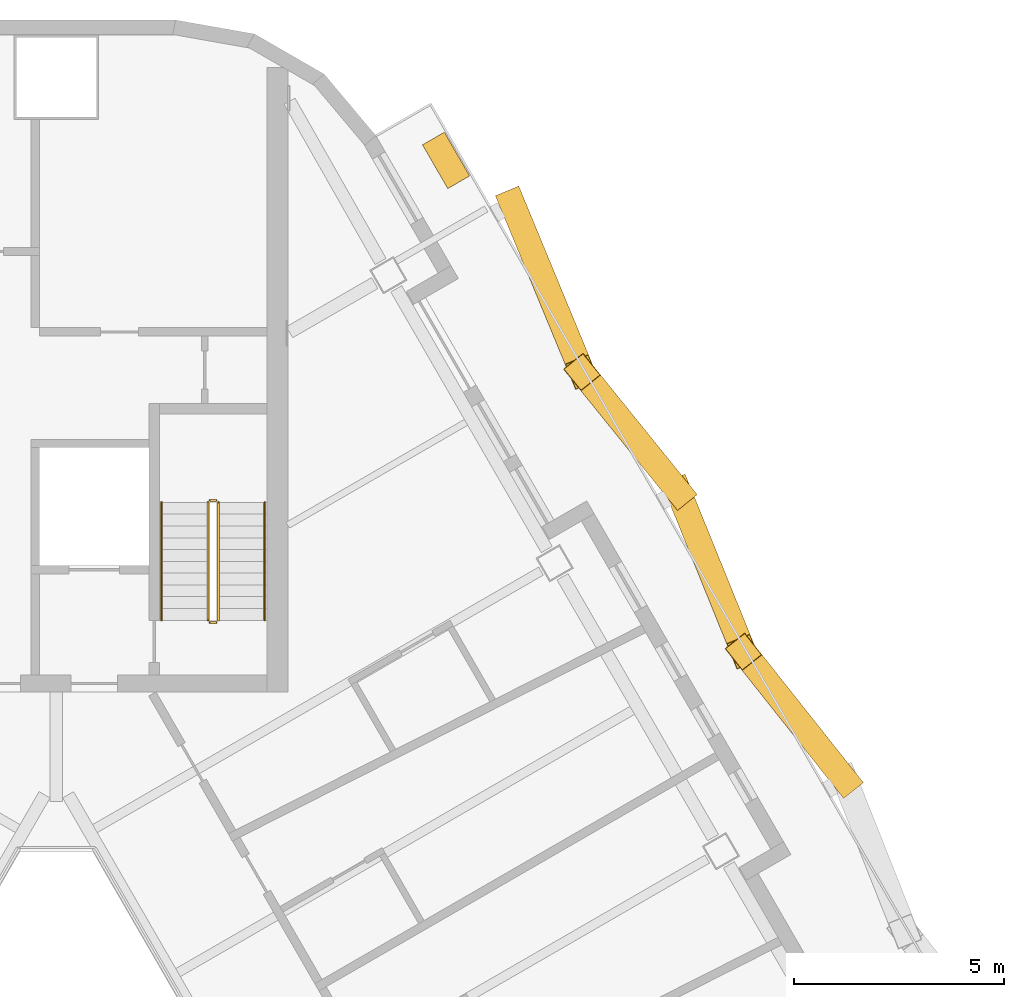
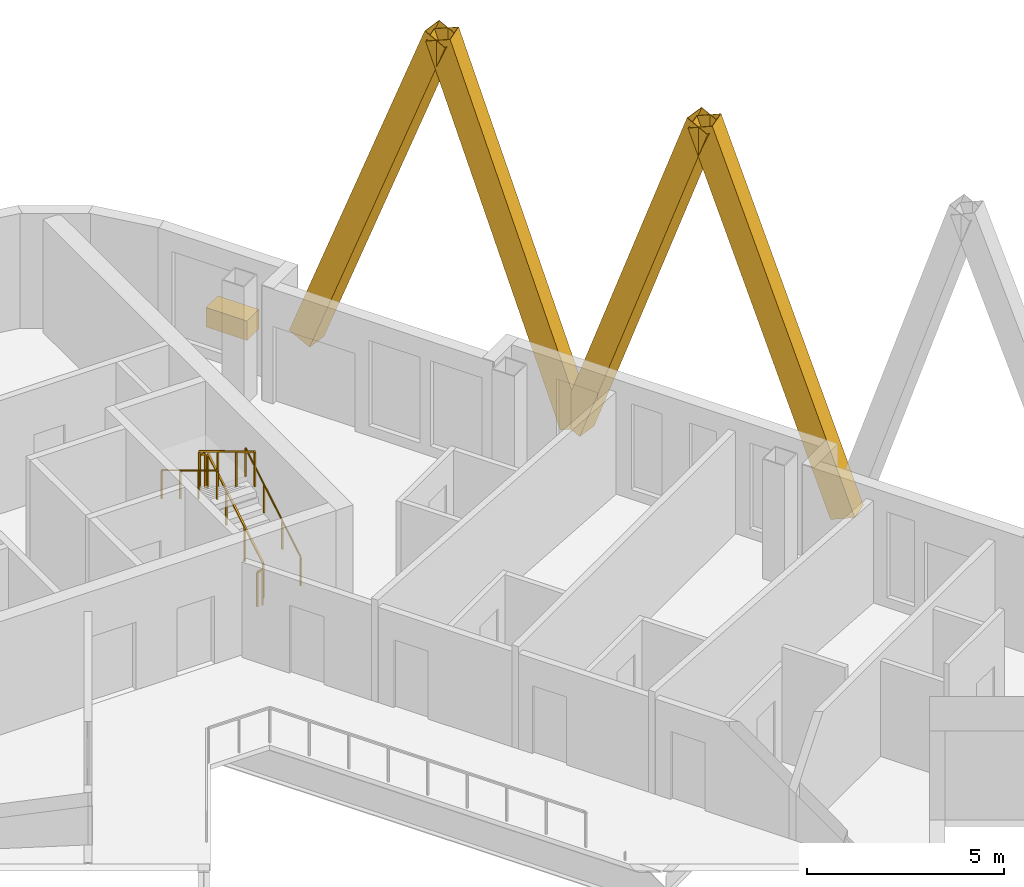
# One storey, part 18 of 18: 6 railings, 4 shading devices, 1 covering.
"""IFC4 building model written with IfcOpenShell, lengths in metres."""

from ifc_helpers import new_model, si_unit, direction, frame, origin, origin_2d, place, context, subcontext, project, spatial, rectangle, hollow_rectangle, circle, extrude, material, material_profile, profile_set, type_object, element, save


model = new_model("IFC4")

# Units and contexts
model_context = context("Model", 3, precision=1e-05, world=origin(), true_north=direction((0.0, 1.0)))
body_context = subcontext(model_context, "Body", "Model", "MODEL_VIEW")
ifc_project = project(units=[si_unit("LENGTHUNIT", "METRE"), si_unit("AREAUNIT", "SQUARE_METRE"), si_unit("VOLUMEUNIT", "CUBIC_METRE"), si_unit("PLANEANGLEUNIT", "RADIAN"), si_unit("MASSUNIT", "GRAM", prefix="KILO")], contexts=[model_context])

# Site, building, storey
site_placement = place(None, origin())
site = spatial("IfcSite", under=ifc_project, at=site_placement, CompositionType="ELEMENT")
building_placement = place(site_placement, origin())
building = spatial("IfcBuilding", under=site, at=building_placement, Name="Apuvela Tower Hotel", CompositionType="ELEMENT")
storey_placement = place(building_placement, frame((0.0, 0.0, 246.699951171875)))
storey = spatial("IfcBuildingStorey", under=building, at=storey_placement, Name="L60", CompositionType="ELEMENT", Elevation=246.699951171875)

# Railings
ifc_material_1 = material(Name="Steel S275 balustrade", Category="steel")
railing_type_1 = type_object("IfcRailingType", Name="COR-GUARD-1100", PredefinedType="GUARDRAIL", material=ifc_material_1)
railing_1_placement = place(storey_placement, frame((3.85009765625, 14.60009765625, 0.168212890625)))
element("IfcRailing", 1, at=railing_1_placement, inside=storey, type_object=railing_type_1, Name="L60 ST1 stair guard 1", PredefinedType="GUARDRAIL", context=body_context, shape_type="SweptSolid", body=[
    extrude(rectangle(XDim=0.048095703125, YDim=0.048095703125, at=origin_2d()), frame((0.0, 0.0, 1.076171875), z_axis=(0.0, 0.857222391501, 0.514946377315), x_axis=(-1.0, 0.0, 0.0)), (0.0, 0.0, 1.0), 3.26611328125),
    extrude(rectangle(XDim=0.0419921875, YDim=0.0419921875, at=origin_2d()), origin(), (0.0, 0.0, 1.0), 1.052001953125),
    extrude(rectangle(XDim=0.0419921875, YDim=0.0419921875, at=origin_2d()), frame((0.0, 0.933349609375, 0.560546875)), (0.0, 0.0, 1.0), 1.052001953125),
    extrude(rectangle(XDim=0.0419921875, YDim=0.0419921875, at=origin_2d()), frame((0.0, 1.866455078125, 1.121337890625)), (0.0, 0.0, 1.0), 1.052001953125),
    extrude(rectangle(XDim=0.0419921875, YDim=0.0419921875, at=origin_2d()), frame((0.0, 2.7998046875, 1.681884765625)), (0.0, 0.0, 1.0), 1.052001953125),
])
railing_2_placement = place(storey_placement, frame((3.800048828125, 17.449951171875, 1.85009765625)))
element("IfcRailing", 2, at=railing_2_placement, inside=storey, type_object=railing_type_1, Name="L60 ST1 stair guard 2", PredefinedType="GUARDRAIL", context=body_context, shape_type="SweptSolid", body=[
    extrude(rectangle(XDim=0.048095703125, YDim=0.048095703125, at=origin_2d()), frame((0.0, 0.0, 1.076171875), z_axis=(-1.0, 0.0, 0.0), x_axis=(0.0, -1.0, 0.0)), (0.0, 0.0, 1.0), 0.150146484375),
    extrude(rectangle(XDim=0.0419921875, YDim=0.0419921875, at=origin_2d()), origin(), (0.0, 0.0, 1.0), 1.052001953125),
    extrude(rectangle(XDim=0.0419921875, YDim=0.0419921875, at=origin_2d()), frame((-0.150146484375, 0.0, 0.0)), (0.0, 0.0, 1.0), 1.052001953125),
])
railing_3_placement = place(storey_placement, frame((3.60009765625, 17.39990234375, 2.018310546875)))
element("IfcRailing", 3, at=railing_3_placement, inside=storey, type_object=railing_type_1, Name="L60 ST1 stair guard 3", PredefinedType="GUARDRAIL", context=body_context, shape_type="SweptSolid", body=[
    extrude(rectangle(XDim=0.048095703125, YDim=0.048095703125, at=origin_2d()), frame((0.0, 0.0, 1.076171875), z_axis=(0.0, -0.857255387014, 0.514891446264), x_axis=(1.0, 0.0, 0.0)), (0.0, 0.0, 1.0), 3.26611328125),
    extrude(rectangle(XDim=0.0419921875, YDim=0.0419921875, at=origin_2d()), origin(), (0.0, 0.0, 1.0), 1.052001953125),
    extrude(rectangle(XDim=0.0419921875, YDim=0.0419921875, at=origin_2d()), frame((0.0, -0.933349609375, 0.560546875)), (0.0, 0.0, 1.0), 1.052001953125),
    extrude(rectangle(XDim=0.0419921875, YDim=0.0419921875, at=origin_2d()), frame((0.0, -1.866455078125, 1.12109375)), (0.0, 0.0, 1.0), 1.052001953125),
    extrude(rectangle(XDim=0.0419921875, YDim=0.0419921875, at=origin_2d()), frame((0.0, -2.7998046875, 1.681640625)), (0.0, 0.0, 1.0), 1.052001953125),
])
railing_4_placement = place(storey_placement, frame((3.800048828125, 14.550048828125, 0.0)))
element("IfcRailing", 4, at=railing_4_placement, inside=storey, type_object=railing_type_1, Name="L60 ST1 stair guard 4", PredefinedType="GUARDRAIL", context=body_context, shape_type="SweptSolid", body=[
    extrude(rectangle(XDim=0.048095703125, YDim=0.048095703125, at=origin_2d()), frame((0.0, 0.0, 1.076171875), z_axis=(-1.0, 0.0, 0.0), x_axis=(0.0, -1.0, 0.0)), (0.0, 0.0, 1.0), 0.150146484375),
    extrude(rectangle(XDim=0.0419921875, YDim=0.0419921875, at=origin_2d()), origin(), (0.0, 0.0, 1.0), 1.052001953125),
    extrude(rectangle(XDim=0.0419921875, YDim=0.0419921875, at=origin_2d()), frame((-0.150146484375, 0.0, 0.0)), (0.0, 0.0, 1.0), 1.052001953125),
])
ifc_material_2 = material(Name="Stainless steel 316 handrail", Category="steel")
railing_type_2 = type_object("IfcRailingType", Name="COR-HANDRAIL-900", PredefinedType="HANDRAIL", material=ifc_material_2)
railing_5_placement = place(storey_placement, frame((4.949951171875, 14.60009765625, 0.168212890625)))
element("IfcRailing", 5, at=railing_5_placement, inside=storey, type_object=railing_type_2, Name="L60 ST1 stair handrail 1", PredefinedType="HANDRAIL", context=body_context, shape_type="SweptSolid", body=[
    extrude(circle(Radius=0.02392578125, at=origin_2d()), frame((0.0, 0.0, 0.8759765625), z_axis=(0.0, 0.857222391501, 0.514946377315), x_axis=(-1.0, 0.0, 0.0)), (0.0, 0.0, 1.0), 3.26611328125),
    extrude(rectangle(XDim=0.0419921875, YDim=0.0419921875, at=origin_2d()), origin(), (0.0, 0.0, 1.0), 0.851806640625),
    extrude(rectangle(XDim=0.0419921875, YDim=0.0419921875, at=origin_2d()), frame((0.0, 0.933349609375, 0.560546875)), (0.0, 0.0, 1.0), 0.851806640625),
    extrude(rectangle(XDim=0.0419921875, YDim=0.0419921875, at=origin_2d()), frame((0.0, 1.866455078125, 1.121337890625)), (0.0, 0.0, 1.0), 0.851806640625),
    extrude(rectangle(XDim=0.0419921875, YDim=0.0419921875, at=origin_2d()), frame((0.0, 2.7998046875, 1.681884765625)), (0.0, 0.0, 1.0), 0.851806640625),
])
railing_6_placement = place(storey_placement, frame((2.5, 17.39990234375, 2.018310546875)))
element("IfcRailing", 6, at=railing_6_placement, inside=storey, type_object=railing_type_2, Name="L60 ST1 stair handrail 2", PredefinedType="HANDRAIL", context=body_context, shape_type="SweptSolid", body=[
    extrude(circle(Radius=0.02392578125, at=origin_2d()), frame((0.0, 0.0, 0.8759765625), z_axis=(0.0, -0.857255387014, 0.514891446264), x_axis=(1.0, 0.0, 0.0)), (0.0, 0.0, 1.0), 3.26611328125),
    extrude(rectangle(XDim=0.0419921875, YDim=0.0419921875, at=origin_2d()), origin(), (0.0, 0.0, 1.0), 0.851806640625),
    extrude(rectangle(XDim=0.0419921875, YDim=0.0419921875, at=origin_2d()), frame((0.0, -0.933349609375, 0.560546875)), (0.0, 0.0, 1.0), 0.851806640625),
    extrude(rectangle(XDim=0.0419921875, YDim=0.0419921875, at=origin_2d()), frame((0.0, -1.866455078125, 1.12109375)), (0.0, 0.0, 1.0), 0.851806640625),
    extrude(rectangle(XDim=0.0419921875, YDim=0.0419921875, at=origin_2d()), frame((0.0, -2.7998046875, 1.681640625)), (0.0, 0.0, 1.0), 0.851806640625),
])

# Shading devices
ifc_material_3 = material(Name="Aluminium 6063-T6, black anodised", Category="aluminium")
ifc_material_profile = material_profile(ifc_material_3, hollow_rectangle(XDim=0.60009765625, YDim=0.699951171875, WallThickness=0.011962890625, at=origin_2d()), Name="AL BOX 700x600x12")
ifc_profile_set = profile_set([ifc_material_profile], Name="Aluminium 6063-T6, black anodised")
shading_device_type = type_object("IfcShadingDeviceType", Name="ENV-FIN-700x600", PredefinedType="USERDEFINED", material=ifc_profile_set)
shading_device_1_placement = place(storey_placement, frame((18.732177734375, 10.81494140625, -0.099853515625), z_axis=(-0.204902056473, 0.258432407262, 0.944048641824), x_axis=(-0.783588570734, -0.621280091275, 0.0)))
element("IfcShadingDevice", 7, at=shading_device_1_placement, inside=storey, type_object=shading_device_type, Name="Lattice fin NE565", ObjectType="FIN", PredefinedType="USERDEFINED", context=body_context, shape_type="SweptSolid", body=[
    extrude(hollow_rectangle(XDim=0.60009765625, YDim=0.699951171875, WallThickness=0.011962890625, at=origin_2d()), origin(), (0.0, 0.0, 1.0), 11.7578125),
])
shading_device_2_placement = place(storey_placement, frame((14.781982421875, 17.656494140625, -0.099853515625), z_axis=(0.130219072709, -0.321359710962, 0.937961048911), x_axis=(0.926801403777, 0.375551804625, 0.0)))
element("IfcShadingDevice", 8, at=shading_device_2_placement, inside=storey, type_object=shading_device_type, Name="Lattice fin NE566", ObjectType="FIN", PredefinedType="USERDEFINED", context=body_context, shape_type="SweptSolid", body=[
    extrude(hollow_rectangle(XDim=0.60009765625, YDim=0.699951171875, WallThickness=0.011962890625, at=origin_2d()), origin(), (0.0, 0.0, 1.0), 11.833984375),
])
shading_device_3_placement = place(storey_placement, frame((14.781982421875, 17.656494140625, -0.099853515625), z_axis=(-0.196375674893, 0.243113879462, 0.949911699014), x_axis=(-0.777918555718, -0.628365117325, 0.0)))
element("IfcShadingDevice", 9, at=shading_device_3_placement, inside=storey, type_object=shading_device_type, Name="Lattice fin NE567", ObjectType="FIN", PredefinedType="USERDEFINED", context=body_context, shape_type="SweptSolid", body=[
    extrude(hollow_rectangle(XDim=0.60009765625, YDim=0.699951171875, WallThickness=0.011962890625, at=origin_2d()), origin(), (0.0, 0.0, 1.0), 11.68505859375),
])
shading_device_4_placement = place(storey_placement, frame((10.83203125, 24.498291015625, -0.099853515625), z_axis=(0.138929725127, -0.335808309054, 0.931628311639), x_axis=(0.92404155986, 0.382292029281, 0.0)))
element("IfcShadingDevice", 10, at=shading_device_4_placement, inside=storey, type_object=shading_device_type, Name="Lattice fin NE568", ObjectType="FIN", PredefinedType="USERDEFINED", context=body_context, shape_type="SweptSolid", body=[
    extrude(hollow_rectangle(XDim=0.60009765625, YDim=0.699951171875, WallThickness=0.011962890625, at=origin_2d()), origin(), (0.0, 0.0, 1.0), 11.91455078125),
])

# Covering
ifc_material_4 = material(Name="Planting substrate and soil, planted")
covering_type = type_object("IfcCoveringType", Name="ENV-PLANTER-1200x600", PredefinedType="USERDEFINED", material=ifc_material_4)
covering_placement = place(storey_placement, frame((9.2578125, 25.52490234375, 0.0), z_axis=(0.0, 0.0, 1.0), x_axis=(-0.5, 0.866025403784, 0.0)))
element("IfcCovering", 11, at=covering_placement, inside=storey, type_object=covering_type, Name="Planter NE4", ObjectType="PLANTER", PredefinedType="USERDEFINED", context=body_context, shape_type="SweptSolid", body=[
    extrude(rectangle(XDim=1.199951171875, YDim=0.60009765625, at=origin_2d()), origin(), (0.0, 0.0, 1.0), 0.60009765625),
])

save(model, "model.ifc")
